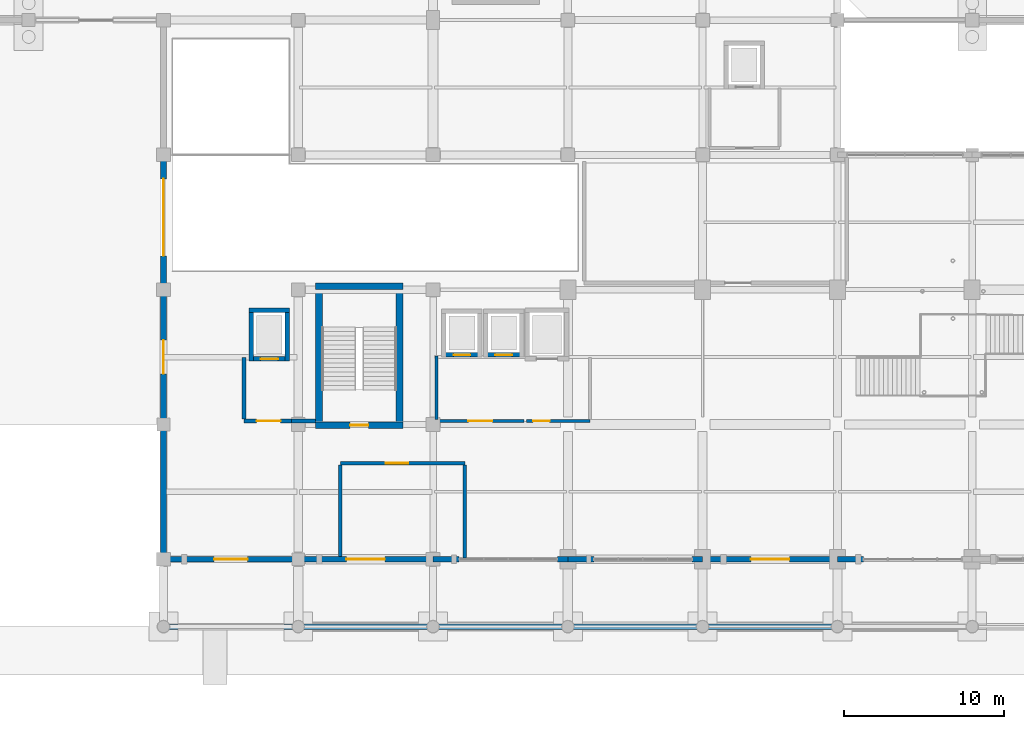
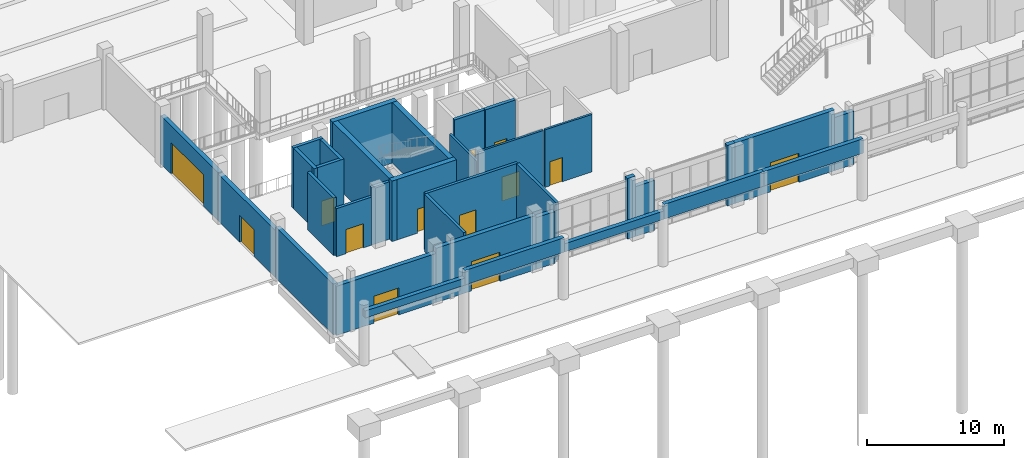
# One storey, part 64 of 82: 35 walls, 13 doors, 13 openings.
"""IFC4 building model written with IfcOpenShell, lengths in metres."""

from ifc_helpers import new_model, si_unit, derived_unit, direction, frame, frame_2d, origin, place, context, subcontext, project, spatial, rectangle, extrude, material, layer, layer_set, type_object, element, fill, save


model = new_model("IFC4")

# Units and contexts
model_context = context("Model", 3, precision=1e-05, world=origin(), true_north=direction((0.0, 1.0)))
body_context = subcontext(model_context, "Body", "Model", "MODEL_VIEW")
ifc_project = project(units=[si_unit("LENGTHUNIT", "METRE"), si_unit("AREAUNIT", "SQUARE_METRE"), si_unit("VOLUMEUNIT", "CUBIC_METRE"), si_unit("PLANEANGLEUNIT", "RADIAN"), si_unit("MASSUNIT", "GRAM", prefix="KILO"), derived_unit("THERMALTRANSMITTANCEUNIT", [(si_unit("POWERUNIT", "WATT"), 1), (si_unit("LENGTHUNIT", "METRE"), -2), (si_unit("THERMODYNAMICTEMPERATUREUNIT", "KELVIN"), -1)])], contexts=[model_context])

# Site, building, storey
site_placement = place(None, origin())
site = spatial("IfcSite", under=ifc_project, at=site_placement, CompositionType="ELEMENT")
building_placement = place(site_placement, origin())
building = spatial("IfcBuilding", under=site, at=building_placement, Name="Barrovel Congress Hotel", CompositionType="ELEMENT")
storey_placement = place(building_placement, origin())
storey = spatial("IfcBuildingStorey", under=building, at=storey_placement, Name="L00", CompositionType="ELEMENT", Elevation=0.0)

# Walls
ifc_material_1 = material(Name="Fired Clay Brick Masonry", Category="masonry")
ifc_layer_1 = layer(ifc_material_1, 0.35009765625)
ifc_layer_set_1 = layer_set([ifc_layer_1], Name="Fired Clay Brick Masonry")
wall_type_1 = type_object("IfcWallType", Name="EW-ARC350", PredefinedType="STANDARD", material=ifc_layer_set_1)
wall_1_placement = place(storey_placement, frame((16.800048828125, 0.0, 4.10009765625), z_axis=(0.0, 0.0, 1.0), x_axis=(1.0, 0.0, 0.0)))
element("IfcWall", 1, at=wall_1_placement, inside=storey, type_object=wall_type_1, Name="EW:L00:ARC:02", PredefinedType="STANDARD", context=body_context, shape_type="SweptSolid", body=[
    extrude(rectangle(XDim=8.39990234375, YDim=0.35009765625, at=frame_2d((4.199951171875, 0.0))), origin(), (0.0, 0.0, 1.0), 0.6298828125),
])
wall_2_placement = place(storey_placement, frame((25.199951171875, 0.0, 4.10009765625), z_axis=(0.0, 0.0, 1.0), x_axis=(1.0, 0.0, 0.0)))
element("IfcWall", 2, at=wall_2_placement, inside=storey, type_object=wall_type_1, Name="EW:L00:ARC:03", PredefinedType="STANDARD", context=body_context, shape_type="SweptSolid", body=[
    extrude(rectangle(XDim=8.400146484375, YDim=0.35009765625, at=frame_2d((4.2001953125, 0.0))), origin(), (0.0, 0.0, 1.0), 1.2998046875),
])
wall_3_placement = place(storey_placement, frame((33.60009765625, 0.0, 4.10009765625), z_axis=(0.0, 0.0, 1.0), x_axis=(1.0, 0.0, 0.0)))
element("IfcWall", 3, at=wall_3_placement, inside=storey, type_object=wall_type_1, Name="EW:L00:ARC:04", PredefinedType="STANDARD", context=body_context, shape_type="SweptSolid", body=[
    extrude(rectangle(XDim=8.39990234375, YDim=0.35009765625, at=frame_2d((4.199951171875, 0.0))), origin(), (0.0, 0.0, 1.0), 0.735107421875),
])
wall_4_placement = place(storey_placement, frame((42.0, 0.0, 4.10009765625), z_axis=(0.0, 0.0, 1.0), x_axis=(1.0, 0.0, 0.0)))
element("IfcWall", 4, at=wall_4_placement, inside=storey, type_object=wall_type_1, Name="EW:L00:ARC:05", PredefinedType="STANDARD", context=body_context, shape_type="SweptSolid", body=[
    extrude(rectangle(XDim=8.39990234375, YDim=0.35009765625, at=frame_2d((4.199951171875, 0.0))), origin(), (0.0, 0.0, 1.0), 1.2998046875),
])
wall_5_placement = place(storey_placement, frame((50.39990234375, 0.0, 4.10009765625), z_axis=(0.0, 0.0, 1.0), x_axis=(1.0, 0.0, 0.0)))
element("IfcWall", 5, at=wall_5_placement, inside=storey, type_object=wall_type_1, Name="EW:L00:ARC:06", PredefinedType="STANDARD", context=body_context, shape_type="SweptSolid", body=[
    extrude(rectangle(XDim=8.400146484375, YDim=0.35009765625, at=frame_2d((4.2001953125, 0.0))), origin(), (0.0, 0.0, 1.0), 1.2998046875),
])

# Wall, opening, door
ifc_layer_2 = layer(ifc_material_1, 0.360107421875)
ifc_layer_set_2 = layer_set([ifc_layer_2], Name="Fired Clay Brick Masonry")
wall_type_2 = type_object("IfcWallType", Name="EW-BRK360", PredefinedType="STANDARD", material=ifc_layer_set_2)
wall_6_placement = place(storey_placement, frame((16.800048828125, 4.199951171875, 0.0), z_axis=(0.0, 0.0, 1.0), x_axis=(1.0, 0.0, 0.0)))
wall_6 = element("IfcWall", 6, at=wall_6_placement, inside=storey, type_object=wall_type_2, Name="EW:L00:S:02", PredefinedType="STANDARD", context=body_context, shape_type="SweptSolid", body=[
    extrude(rectangle(XDim=8.39990234375, YDim=0.360107421875, at=frame_2d((4.199951171875, 0.0))), origin(), (0.0, 0.0, 1.0), 4.389892578125),
])
opening_1_placement = place(wall_6_placement, frame((5.25, 0.0, 0.0), z_axis=(0.0, 0.0, 1.0), x_axis=(-1.0, 0.0, 0.0)))
opening_1 = element("IfcOpeningElement", 7, at=opening_1_placement, cuts=wall_6, Name="Opening ED-01", PredefinedType="OPENING", context=body_context, shape_type="SweptSolid", body=[
    extrude(rectangle(XDim=2.10009765625, YDim=2.39990234375, at=frame_2d((1.050048828125, 1.199951171875))), frame((0.0, 0.18994140625, 0.0), z_axis=(0.0, -1.0, 0.0), x_axis=(1.0, 0.0, 0.0)), (0.0, 0.0, 1.0), 0.380126953125),
])
ifc_material_2 = material(Name="Anodised Aluminium Glazed Door", Category="aluminium")
door_type_1 = type_object("IfcDoorType", Name="EDR-ED-01", OperationType="NOTDEFINED", PredefinedType="DOOR", material=ifc_material_2)
door_1_placement = place(opening_1_placement, origin())
door_1 = element("IfcDoor", 8, at=door_1_placement, inside=storey, type_object=door_type_1, Name="Grade Exit Door E-01", OperationType="DOUBLE_DOOR_SINGLE_SWING", OverallHeight=2.39990234375, OverallWidth=2.10009765625, PredefinedType="DOOR", context=body_context, shape_type="SweptSolid", body=[
    extrude(rectangle(XDim=2.10009765625, YDim=2.39990234375, at=frame_2d((1.050048828125, 1.199951171875))), frame((0.0, 0.02490234375, 0.0), z_axis=(0.0, -1.0, 0.0), x_axis=(1.0, 0.0, 0.0)), (0.0, 0.0, 1.0), 0.050048828125),
])
fill(opening_1, door_1)

wall_7_placement = place(storey_placement, frame((25.199951171875, 4.199951171875, 0.0), z_axis=(0.0, 0.0, 1.0), x_axis=(1.0, 0.0, 0.0)))
wall_7 = element("IfcWall", 9, at=wall_7_placement, inside=storey, type_object=wall_type_2, Name="EW:L00:S:03", PredefinedType="STANDARD", context=body_context, shape_type="SweptSolid", body=[
    extrude(rectangle(XDim=8.400146484375, YDim=0.360107421875, at=frame_2d((4.2001953125, 0.0))), origin(), (0.0, 0.0, 1.0), 4.830078125),
])
opening_2_placement = place(wall_7_placement, frame((5.39990234375, 0.0, 0.0), z_axis=(0.0, 0.0, 1.0), x_axis=(-1.0, 0.0, 0.0)))
opening_2 = element("IfcOpeningElement", 10, at=opening_2_placement, cuts=wall_7, Name="Opening ED-02", PredefinedType="OPENING", context=body_context, shape_type="SweptSolid", body=[
    extrude(rectangle(XDim=2.39990234375, YDim=2.60009765625, at=frame_2d((1.199951171875, 1.300048828125))), frame((0.0, 0.18994140625, 0.0), z_axis=(0.0, -1.0, 0.0), x_axis=(1.0, 0.0, 0.0)), (0.0, 0.0, 1.0), 0.380126953125),
])
door_type_2 = type_object("IfcDoorType", Name="EDR-ED-02", OperationType="NOTDEFINED", PredefinedType="DOOR", material=ifc_material_2)
door_2_placement = place(opening_2_placement, origin())
door_2 = element("IfcDoor", 11, at=door_2_placement, inside=storey, type_object=door_type_2, Name="Grade Exit Door E-02", OperationType="DOUBLE_DOOR_SINGLE_SWING", OverallHeight=2.60009765625, OverallWidth=2.39990234375, PredefinedType="DOOR", context=body_context, shape_type="SweptSolid", body=[
    extrude(rectangle(XDim=2.39990234375, YDim=2.60009765625, at=frame_2d((1.199951171875, 1.300048828125))), frame((0.0, 0.02490234375, 0.0), z_axis=(0.0, -1.0, 0.0), x_axis=(1.0, 0.0, 0.0)), (0.0, 0.0, 1.0), 0.050048828125),
])
fill(opening_2, door_2)

# Walls
wall_8_placement = place(storey_placement, frame((33.60009765625, 4.199951171875, 0.0), z_axis=(0.0, 0.0, 1.0), x_axis=(1.0, 0.0, 0.0)))
element("IfcWall", 12, at=wall_8_placement, inside=storey, type_object=wall_type_2, Name="EW:L00:SJ-L:4", PredefinedType="STANDARD", context=body_context, shape_type="SweptSolid", body=[
    extrude(rectangle(XDim=1.619873046875, YDim=0.360107421875, at=frame_2d((0.81005859375, 0.0))), origin(), (0.0, 0.0, 1.0), 4.611083984375),
])
wall_9_placement = place(storey_placement, frame((41.340087890625, 4.199951171875, 0.0), z_axis=(0.0, 0.0, 1.0), x_axis=(1.0, 0.0, 0.0)))
element("IfcWall", 13, at=wall_9_placement, inside=storey, type_object=wall_type_2, Name="EW:L00:SJ-R:4", PredefinedType="STANDARD", context=body_context, shape_type="SweptSolid", body=[
    extrude(rectangle(XDim=0.659912109375, YDim=0.360107421875, at=frame_2d((0.330078125, 0.0))), origin(), (0.0, 0.0, 1.0), 5.39990234375),
])
wall_10_placement = place(storey_placement, frame((42.0, 4.199951171875, 0.0), z_axis=(0.0, 0.0, 1.0), x_axis=(1.0, 0.0, 0.0)))
element("IfcWall", 14, at=wall_10_placement, inside=storey, type_object=wall_type_2, Name="EW:L00:SJ-L:5", PredefinedType="STANDARD", context=body_context, shape_type="SweptSolid", body=[
    extrude(rectangle(XDim=1.6201171875, YDim=0.360107421875, at=frame_2d((0.81005859375, 0.0))), origin(), (0.0, 0.0, 1.0), 4.43994140625),
])
wall_11_placement = place(storey_placement, frame((49.739990234375, 4.199951171875, 0.0), z_axis=(0.0, 0.0, 1.0), x_axis=(1.0, 0.0, 0.0)))
element("IfcWall", 15, at=wall_11_placement, inside=storey, type_object=wall_type_2, Name="EW:L00:SJ-R:5", PredefinedType="STANDARD", context=body_context, shape_type="SweptSolid", body=[
    extrude(rectangle(XDim=0.659912109375, YDim=0.360107421875, at=frame_2d((0.330078125, 0.0))), origin(), (0.0, 0.0, 1.0), 5.39990234375),
])

# Wall, opening, door
wall_12_placement = place(storey_placement, frame((50.39990234375, 4.199951171875, 0.0), z_axis=(0.0, 0.0, 1.0), x_axis=(1.0, 0.0, 0.0)))
wall_12 = element("IfcWall", 16, at=wall_12_placement, inside=storey, type_object=wall_type_2, Name="EW:L00:S:06", PredefinedType="STANDARD", context=body_context, shape_type="SweptSolid", body=[
    extrude(rectangle(XDim=8.400146484375, YDim=0.360107421875, at=frame_2d((4.2001953125, 0.0))), origin(), (0.0, 0.0, 1.0), 5.39990234375),
])
opening_3_placement = place(wall_12_placement, frame((5.39990234375, 0.0, 0.0), z_axis=(0.0, 0.0, 1.0), x_axis=(-1.0, 0.0, 0.0)))
opening_3 = element("IfcOpeningElement", 17, at=opening_3_placement, cuts=wall_12, Name="Opening ED-02", PredefinedType="OPENING", context=body_context, shape_type="SweptSolid", body=[
    extrude(rectangle(XDim=2.39990234375, YDim=2.60009765625, at=frame_2d((1.199951171875, 1.300048828125))), frame((0.0, 0.18994140625, 0.0), z_axis=(0.0, -1.0, 0.0), x_axis=(1.0, 0.0, 0.0)), (0.0, 0.0, 1.0), 0.380126953125),
])
door_3_placement = place(opening_3_placement, origin())
door_3 = element("IfcDoor", 18, at=door_3_placement, inside=storey, type_object=door_type_2, Name="Grade Exit Door E-03", OperationType="DOUBLE_DOOR_SINGLE_SWING", OverallHeight=2.60009765625, OverallWidth=2.39990234375, PredefinedType="DOOR", context=body_context, shape_type="SweptSolid", body=[
    extrude(rectangle(XDim=2.39990234375, YDim=2.60009765625, at=frame_2d((1.199951171875, 1.300048828125))), frame((0.0, 0.02490234375, 0.0), z_axis=(0.0, -1.0, 0.0), x_axis=(1.0, 0.0, 0.0)), (0.0, 0.0, 1.0), 0.050048828125),
])
fill(opening_3, door_3)

# Wall
wall_13_placement = place(storey_placement, frame((58.800048828125, 4.199951171875, 0.0), z_axis=(0.0, 0.0, 1.0), x_axis=(1.0, 0.0, 0.0)))
element("IfcWall", 19, at=wall_13_placement, inside=storey, type_object=wall_type_2, Name="EW:L00:SJ-L:7", PredefinedType="STANDARD", context=body_context, shape_type="SweptSolid", body=[
    extrude(rectangle(XDim=1.619873046875, YDim=0.360107421875, at=frame_2d((0.81005859375, 0.0))), origin(), (0.0, 0.0, 1.0), 4.72998046875),
])

# Wall, opening, door
wall_14_placement = place(storey_placement, frame((16.800048828125, 29.39990234375, 0.0), z_axis=(0.0, 0.0, 1.0), x_axis=(0.0, -1.0, 0.0)))
wall_14 = element("IfcWall", 20, at=wall_14_placement, inside=storey, type_object=wall_type_2, Name="EW:L00:V4W:21.0", PredefinedType="STANDARD", context=body_context, shape_type="SweptSolid", body=[
    extrude(rectangle(XDim=8.39990234375, YDim=0.360107421875, at=frame_2d((4.199951171875, 0.0))), origin(), (0.0, 0.0, 1.0), 4.2900390625),
])
opening_4_placement = place(wall_14_placement, frame((6.300048828125, 0.0, 0.0), z_axis=(0.0, 0.0, 1.0), x_axis=(-1.0, 0.0, 0.0)))
opening_4 = element("IfcOpeningElement", 21, at=opening_4_placement, cuts=wall_14, Name="Opening VG-T1", PredefinedType="OPENING", context=body_context, shape_type="SweptSolid", body=[
    extrude(rectangle(XDim=4.800048828125, YDim=2.800048828125, at=frame_2d((2.39990234375, 1.39990234375))), frame((0.0, 0.18994140625, 0.0), z_axis=(0.0, -1.0, 0.0), x_axis=(1.0, 0.0, 0.0)), (0.0, 0.0, 1.0), 0.380126953125),
])
ifc_material_3 = material(Name="Galvanised Steel Roller Shutter", Category="steel")
door_type_3 = type_object("IfcDoorType", Name="EDR-VG-T1", OperationType="NOTDEFINED", PredefinedType="GATE", material=ifc_material_3)
door_4_placement = place(opening_4_placement, origin())
door_4 = element("IfcDoor", 22, at=door_4_placement, inside=storey, type_object=door_type_3, Name="Basement Vehicle Ramp Gate VG-01", OperationType="ROLLINGUP", OverallHeight=2.800048828125, OverallWidth=4.800048828125, PredefinedType="GATE", context=body_context, shape_type="SweptSolid", body=[
    extrude(rectangle(XDim=4.800048828125, YDim=2.800048828125, at=frame_2d((2.39990234375, 1.39990234375))), frame((0.0, 0.02490234375, 0.0), z_axis=(0.0, -1.0, 0.0), x_axis=(1.0, 0.0, 0.0)), (0.0, 0.0, 1.0), 0.050048828125),
])
fill(opening_4, door_4)

wall_15_placement = place(storey_placement, frame((16.800048828125, 21.0, 0.0), z_axis=(0.0, 0.0, 1.0), x_axis=(0.0, -1.0, 0.0)))
wall_15 = element("IfcWall", 23, at=wall_15_placement, inside=storey, type_object=wall_type_2, Name="EW:L00:V4W:12.6", PredefinedType="STANDARD", context=body_context, shape_type="SweptSolid", body=[
    extrude(rectangle(XDim=8.39990234375, YDim=0.360107421875, at=frame_2d((4.199951171875, 0.0))), origin(), (0.0, 0.0, 1.0), 4.18994140625),
])
opening_5_placement = place(wall_15_placement, frame((5.25, 0.0, 0.0), z_axis=(0.0, 0.0, 1.0), x_axis=(-1.0, 0.0, 0.0)))
opening_5 = element("IfcOpeningElement", 24, at=opening_5_placement, cuts=wall_15, Name="Opening ED-01", PredefinedType="OPENING", context=body_context, shape_type="SweptSolid", body=[
    extrude(rectangle(XDim=2.10009765625, YDim=2.39990234375, at=frame_2d((1.050048828125, 1.199951171875))), frame((0.0, 0.18994140625, 0.0), z_axis=(0.0, -1.0, 0.0), x_axis=(1.0, 0.0, 0.0)), (0.0, 0.0, 1.0), 0.380126953125),
])
door_5_placement = place(opening_5_placement, origin())
door_5 = element("IfcDoor", 25, at=door_5_placement, inside=storey, type_object=door_type_1, Name="Grade Exit Door E-12", OperationType="DOUBLE_DOOR_SINGLE_SWING", OverallHeight=2.39990234375, OverallWidth=2.10009765625, PredefinedType="DOOR", context=body_context, shape_type="SweptSolid", body=[
    extrude(rectangle(XDim=2.10009765625, YDim=2.39990234375, at=frame_2d((1.050048828125, 1.199951171875))), frame((0.0, 0.02490234375, 0.0), z_axis=(0.0, -1.0, 0.0), x_axis=(1.0, 0.0, 0.0)), (0.0, 0.0, 1.0), 0.050048828125),
])
fill(opening_5, door_5)

# Wall
wall_16_placement = place(storey_placement, frame((16.800048828125, 12.60009765625, 0.0), z_axis=(0.0, 0.0, 1.0), x_axis=(0.0, -1.0, 0.0)))
element("IfcWall", 26, at=wall_16_placement, inside=storey, type_object=wall_type_2, Name="EW:L00:V4W:4.2", PredefinedType="STANDARD", context=body_context, shape_type="SweptSolid", body=[
    extrude(rectangle(XDim=8.400146484375, YDim=0.360107421875, at=frame_2d((4.2001953125, 0.0))), origin(), (0.0, 0.0, 1.0), 4.5400390625),
])

# Wall, opening, door
ifc_material_4 = material(Name="Gypsum Acoustic Stud", Category="gypsum")
ifc_layer_3 = layer(ifc_material_4, 0.179931640625)
ifc_layer_set_3 = layer_set([ifc_layer_3], Name="Gypsum Acoustic Stud")
wall_type_3 = type_object("IfcWallType", Name="PW-ACU-180", PredefinedType="PARTITIONING", material=ifc_layer_set_3)
wall_17_placement = place(storey_placement, frame((33.820068359375, 12.820068359375, 0.0), z_axis=(0.0, 0.0, 1.0), x_axis=(1.0, 0.0, 0.0)))
wall_17 = element("IfcWall", 27, at=wall_17_placement, inside=storey, type_object=wall_type_3, Name="RW:SP:L00:LL-C1:S", PredefinedType="PARTITIONING", context=body_context, shape_type="SweptSolid", body=[
    extrude(rectangle(XDim=5.4599609375, YDim=0.179931640625, at=frame_2d((2.72998046875, 0.0))), origin(), (0.0, 0.0, 1.0), 5.135009765625),
])
opening_6_placement = place(wall_17_placement, frame((1.97998046875, 0.0, 0.0)))
opening_6 = element("IfcOpeningElement", 28, at=opening_6_placement, cuts=wall_17, Name="Opening ID-FFL", PredefinedType="OPENING", context=body_context, shape_type="SweptSolid", body=[
    extrude(rectangle(XDim=1.5, YDim=2.14990234375, at=frame_2d((0.75, 1.074951171875))), frame((0.0, 0.10009765625, 0.0), z_axis=(0.0, -1.0, 0.0), x_axis=(1.0, 0.0, 0.0)), (0.0, 0.0, 1.0), 0.199951171875),
])
ifc_material_5 = material(Name="Painted Hollow-Metal Steel Door", Category="steel")
door_type_4 = type_object("IfcDoorType", Name="IDR-ID-FFL", OperationType="NOTDEFINED", PredefinedType="DOOR", material=ifc_material_5)
door_6_placement = place(opening_6_placement, origin())
door_6 = element("IfcDoor", 29, at=door_6_placement, inside=storey, type_object=door_type_4, Name="RD:SP:L00:LL-C1", OperationType="DOUBLE_DOOR_SINGLE_SWING", OverallHeight=2.14990234375, OverallWidth=1.5, PredefinedType="DOOR", context=body_context, shape_type="SweptSolid", body=[
    extrude(rectangle(XDim=1.5, YDim=2.14990234375, at=frame_2d((0.75, 1.074951171875))), frame((0.0, 0.02490234375, 0.0), z_axis=(0.0, -1.0, 0.0), x_axis=(1.0, 0.0, 0.0)), (0.0, 0.0, 1.0), 0.050048828125),
])
fill(opening_6, door_6)

# Wall
wall_18_placement = place(storey_placement, frame((33.820068359375, 12.909912109375, 0.0), z_axis=(0.0, 0.0, 1.0), x_axis=(0.0, 1.0, 0.0)))
element("IfcWall", 30, at=wall_18_placement, inside=storey, type_object=wall_type_3, Name="RW:SP:L00:LL-C1:W", PredefinedType="PARTITIONING", context=body_context, shape_type="SweptSolid", body=[
    extrude(rectangle(XDim=3.969970703125, YDim=0.179931640625, at=frame_2d((1.98486328125, 0.0))), origin(), (0.0, 0.0, 1.0), 4.239990234375),
])

# Wall, opening, door
wall_19_placement = place(storey_placement, frame((39.419921875, 12.820068359375, 0.0), z_axis=(0.0, 0.0, 1.0), x_axis=(1.0, 0.0, 0.0)))
wall_19 = element("IfcWall", 31, at=wall_19_placement, inside=storey, type_object=wall_type_3, Name="RW:SP:L00:LL-SL1:S", PredefinedType="PARTITIONING", context=body_context, shape_type="SweptSolid", body=[
    extrude(rectangle(XDim=3.9599609375, YDim=0.179931640625, at=frame_2d((1.97998046875, 0.0))), origin(), (0.0, 0.0, 1.0), 5.135009765625),
])
opening_7_placement = place(wall_19_placement, frame((0.419921875, 0.0, 0.0)))
opening_7 = element("IfcOpeningElement", 32, at=opening_7_placement, cuts=wall_19, Name="Opening ID-ACC", PredefinedType="OPENING", context=body_context, shape_type="SweptSolid", body=[
    extrude(rectangle(XDim=1.02001953125, YDim=2.14990234375, at=frame_2d((0.510009765625, 1.074951171875))), frame((0.0, 0.10009765625, 0.0), z_axis=(0.0, -1.0, 0.0), x_axis=(1.0, 0.0, 0.0)), (0.0, 0.0, 1.0), 0.199951171875),
])
ifc_material_6 = material(Name="Solid Oak Acoustic Timber Door", Category="wood")
door_type_5 = type_object("IfcDoorType", Name="IDR-ID-ACC", OperationType="NOTDEFINED", PredefinedType="DOOR", material=ifc_material_6)
door_7_placement = place(opening_7_placement, origin())
door_7 = element("IfcDoor", 33, at=door_7_placement, inside=storey, type_object=door_type_5, Name="RD:SP:L00:LL-SL1", OperationType="SINGLE_SWING_RIGHT", OverallHeight=2.14990234375, OverallWidth=1.02001953125, PredefinedType="DOOR", context=body_context, shape_type="SweptSolid", body=[
    extrude(rectangle(XDim=1.02001953125, YDim=2.14990234375, at=frame_2d((0.510009765625, 1.074951171875))), frame((0.0, 0.02490234375, 0.0), z_axis=(0.0, -1.0, 0.0), x_axis=(1.0, 0.0, 0.0)), (0.0, 0.0, 1.0), 0.050048828125),
])
fill(opening_7, door_7)

ifc_layer_4 = layer(ifc_material_1, 0.239990234375)
ifc_layer_set_4 = layer_set([ifc_layer_4], Name="Fired Clay Brick Masonry")
wall_type_4 = type_object("IfcWallType", Name="PW-MAS-240", PredefinedType="PARTITIONING", material=ifc_layer_set_4)
wall_20_placement = place(storey_placement, frame((21.820068359375, 12.820068359375, 0.0), z_axis=(0.0, 0.0, 1.0), x_axis=(1.0, 0.0, 0.0)))
wall_20 = element("IfcWall", 34, at=wall_20_placement, inside=storey, type_object=wall_type_4, Name="RW:SP:L00:FFL-1:S", PredefinedType="PARTITIONING", context=body_context, shape_type="SweptSolid", body=[
    extrude(rectangle(XDim=2.954833984375, YDim=0.239990234375, at=frame_2d((1.4775390625, 0.0))), origin(), (0.0, 0.0, 1.0), 4.2900390625),
])
opening_8_placement = place(wall_20_placement, frame((0.780029296875, 0.0, 0.0)))
opening_8 = element("IfcOpeningElement", 35, at=opening_8_placement, cuts=wall_20, Name="Opening ID-FFL", PredefinedType="OPENING", context=body_context, shape_type="SweptSolid", body=[
    extrude(rectangle(XDim=1.5, YDim=2.14990234375, at=frame_2d((0.75, 1.074951171875))), frame((0.0, 0.1298828125, 0.0), z_axis=(0.0, -1.0, 0.0), x_axis=(1.0, 0.0, 0.0)), (0.0, 0.0, 1.0), 0.260009765625),
])
door_8_placement = place(opening_8_placement, origin())
door_8 = element("IfcDoor", 36, at=door_8_placement, inside=storey, type_object=door_type_4, Name="RD:SP:L00:FFL-1", OperationType="DOUBLE_DOOR_SINGLE_SWING", OverallHeight=2.14990234375, OverallWidth=1.5, PredefinedType="DOOR", context=body_context, shape_type="SweptSolid", body=[
    extrude(rectangle(XDim=1.5, YDim=2.14990234375, at=frame_2d((0.75, 1.074951171875))), frame((0.0, 0.02490234375, 0.0), z_axis=(0.0, -1.0, 0.0), x_axis=(1.0, 0.0, 0.0)), (0.0, 0.0, 1.0), 0.050048828125),
])
fill(opening_8, door_8)

# Wall
wall_21_placement = place(storey_placement, frame((21.820068359375, 12.93994140625, 0.0), z_axis=(0.0, 0.0, 1.0), x_axis=(0.0, 1.0, 0.0)))
element("IfcWall", 37, at=wall_21_placement, inside=storey, type_object=wall_type_4, Name="RW:SP:L00:FFL-1:W", PredefinedType="PARTITIONING", context=body_context, shape_type="SweptSolid", body=[
    extrude(rectangle(XDim=3.840087890625, YDim=0.239990234375, at=frame_2d((1.919921875, 0.0))), origin(), (0.0, 0.0, 1.0), 5.135009765625),
])

# Wall, opening, door
wall_22_placement = place(storey_placement, frame((27.820068359375, 10.179931640625, 0.0), z_axis=(0.0, 0.0, 1.0), x_axis=(1.0, 0.0, 0.0)))
wall_22 = element("IfcWall", 38, at=wall_22_placement, inside=storey, type_object=wall_type_4, Name="RW:SP:L00:FCC:N", PredefinedType="PARTITIONING", context=body_context, shape_type="SweptSolid", body=[
    extrude(rectangle(XDim=7.760009765625, YDim=0.239990234375, at=frame_2d((3.8798828125, 0.0))), origin(), (0.0, 0.0, 1.0), 5.135009765625),
])
opening_9_placement = place(wall_22_placement, frame((2.830078125, 0.0, 0.0)))
opening_9 = element("IfcOpeningElement", 39, at=opening_9_placement, cuts=wall_22, Name="Opening ID-PLT", PredefinedType="OPENING", context=body_context, shape_type="SweptSolid", body=[
    extrude(rectangle(XDim=1.39990234375, YDim=2.199951171875, at=frame_2d((0.699951171875, 1.10009765625))), frame((0.0, 0.1298828125, 0.0), z_axis=(0.0, -1.0, 0.0), x_axis=(1.0, 0.0, 0.0)), (0.0, 0.0, 1.0), 0.260009765625),
])
door_type_6 = type_object("IfcDoorType", Name="IDR-ID-PLT", OperationType="NOTDEFINED", PredefinedType="DOOR", material=ifc_material_5)
door_9_placement = place(opening_9_placement, origin())
door_9 = element("IfcDoor", 40, at=door_9_placement, inside=storey, type_object=door_type_6, Name="RD:SP:L00:FCC", OperationType="DOUBLE_DOOR_SINGLE_SWING", OverallHeight=2.199951171875, OverallWidth=1.39990234375, PredefinedType="DOOR", context=body_context, shape_type="SweptSolid", body=[
    extrude(rectangle(XDim=1.39990234375, YDim=2.199951171875, at=frame_2d((0.699951171875, 1.10009765625))), frame((0.0, 0.02490234375, 0.0), z_axis=(0.0, -1.0, 0.0), x_axis=(1.0, 0.0, 0.0)), (0.0, 0.0, 1.0), 0.050048828125),
])
fill(opening_9, door_9)

# Walls
wall_23_placement = place(storey_placement, frame((27.820068359375, 4.3798828125, 0.0), z_axis=(0.0, 0.0, 1.0), x_axis=(0.0, 1.0, 0.0)))
element("IfcWall", 41, at=wall_23_placement, inside=storey, type_object=wall_type_4, Name="RW:SP:L00:FCC:W", PredefinedType="PARTITIONING", context=body_context, shape_type="SweptSolid", body=[
    extrude(rectangle(XDim=5.68017578125, YDim=0.239990234375, at=frame_2d((2.840087890625, 0.0))), origin(), (0.0, 0.0, 1.0), 5.135009765625),
])
wall_24_placement = place(storey_placement, frame((35.580078125, 4.280029296875, 0.0), z_axis=(0.0, 0.0, 1.0), x_axis=(0.0, 1.0, 0.0)))
element("IfcWall", 42, at=wall_24_placement, inside=storey, type_object=wall_type_4, Name="RW:SP:L00:FCC:E", PredefinedType="PARTITIONING", context=body_context, shape_type="SweptSolid", body=[
    extrude(rectangle(XDim=5.780029296875, YDim=0.239990234375, at=frame_2d((2.89013671875, 0.0))), origin(), (0.0, 0.0, 1.0), 5.135009765625),
])
wall_25_placement = place(storey_placement, frame((24.77490234375, 12.820068359375, 0.0), z_axis=(0.0, 0.0, 1.0), x_axis=(1.0, 0.0, 0.0)))
element("IfcWall", 43, at=wall_25_placement, inside=storey, type_object=wall_type_4, Name="RW:SP:L00:FFL-1:S:P02", PredefinedType="PARTITIONING", context=body_context, shape_type="SweptSolid", body=[
    extrude(rectangle(XDim=1.505126953125, YDim=0.239990234375, at=frame_2d((0.75244140625, 0.0))), origin(), (0.0, 0.0, 1.0), 5.135009765625),
])

# Wall, opening, door
ifc_material_7 = material(Name="Concrete C40", Category="concrete")
ifc_layer_5 = layer(ifc_material_7, 0.280029296875)
ifc_layer_set_5 = layer_set([ifc_layer_5], Name="Concrete C40")
wall_type_5 = type_object("IfcWallType", Name="SW-C40-280", PredefinedType="SHEAR", material=ifc_layer_set_5)
wall_26_placement = place(storey_placement, frame((22.139892578125, 16.679931640625, 0.0), z_axis=(0.0, 0.0, 1.0), x_axis=(1.0, 0.0, 0.0)))
wall_26 = element("IfcWall", 44, at=wall_26_placement, inside=storey, type_object=wall_type_5, Name="LSH:FL-1:L00:S", PredefinedType="SHEAR", context=body_context, shape_type="SweptSolid", body=[
    extrude(rectangle(XDim=2.52001953125, YDim=0.280029296875, at=frame_2d((1.260009765625, 0.0))), origin(), (0.0, 0.0, 1.0), 5.39990234375),
])
opening_10_placement = place(wall_26_placement, frame((0.7099609375, 0.0, 0.0)))
opening_10 = element("IfcOpeningElement", 45, at=opening_10_placement, cuts=wall_26, Name="Opening LD-FF", PredefinedType="OPENING", context=body_context, shape_type="SweptSolid", body=[
    extrude(rectangle(XDim=1.10009765625, YDim=2.199951171875, at=frame_2d((0.550048828125, 1.10009765625))), frame((0.0, 0.14990234375, 0.0), z_axis=(0.0, -1.0, 0.0), x_axis=(1.0, 0.0, 0.0)), (0.0, 0.0, 1.0), 0.300048828125),
])
ifc_material_8 = material(Name="Brushed Stainless Steel", Category="steel")
door_type_7 = type_object("IfcDoorType", Name="IDR-LD-FF", OperationType="NOTDEFINED", PredefinedType="DOOR", material=ifc_material_8)
door_10_placement = place(opening_10_placement, origin())
door_10 = element("IfcDoor", 46, at=door_10_placement, inside=storey, type_object=door_type_7, Name="Lift Landing Door LD-FL-1-L00", OperationType="SLIDING_TO_LEFT", OverallHeight=2.199951171875, OverallWidth=1.10009765625, PredefinedType="DOOR", context=body_context, shape_type="SweptSolid", body=[
    extrude(rectangle(XDim=1.10009765625, YDim=2.199951171875, at=frame_2d((0.550048828125, 1.10009765625))), frame((0.0, 0.02490234375, 0.0), z_axis=(0.0, -1.0, 0.0), x_axis=(1.0, 0.0, 0.0)), (0.0, 0.0, 1.0), 0.050048828125),
])
fill(opening_10, door_10)

# Walls
wall_27_placement = place(storey_placement, frame((24.52001953125, 16.5400390625, 0.0), z_axis=(0.0, 0.0, 1.0), x_axis=(0.0, 1.0, 0.0)))
element("IfcWall", 47, at=wall_27_placement, inside=storey, type_object=wall_type_5, Name="LSH:FL-1:L00:E", PredefinedType="SHEAR", context=body_context, shape_type="SweptSolid", body=[
    extrude(rectangle(XDim=3.320068359375, YDim=0.280029296875, at=frame_2d((1.66015625, 0.0))), origin(), (0.0, 0.0, 1.0), 5.39990234375),
])
wall_28_placement = place(storey_placement, frame((24.659912109375, 19.719970703125, 0.0), z_axis=(0.0, 0.0, 1.0), x_axis=(-1.0, 0.0, 0.0)))
element("IfcWall", 48, at=wall_28_placement, inside=storey, type_object=wall_type_5, Name="LSH:FL-1:L00:N", PredefinedType="SHEAR", context=body_context, shape_type="SweptSolid", body=[
    extrude(rectangle(XDim=2.52001953125, YDim=0.280029296875, at=frame_2d((1.260009765625, 0.0))), origin(), (0.0, 0.0, 1.0), 5.39990234375),
])
wall_29_placement = place(storey_placement, frame((22.280029296875, 19.860107421875, 0.0), z_axis=(0.0, 0.0, 1.0), x_axis=(0.0, -1.0, 0.0)))
element("IfcWall", 49, at=wall_29_placement, inside=storey, type_object=wall_type_5, Name="LSH:FL-1:L00:W", PredefinedType="SHEAR", context=body_context, shape_type="SweptSolid", body=[
    extrude(rectangle(XDim=3.320068359375, YDim=0.280029296875, at=frame_2d((1.66015625, 0.0))), origin(), (0.0, 0.0, 1.0), 5.39990234375),
])

# Wall, opening, door
wall_30_placement = place(storey_placement, frame((34.139892578125, 16.929931640625, 0.0), z_axis=(0.0, 0.0, 1.0), x_axis=(1.0, 0.0, 0.0)))
wall_30 = element("IfcWall", 50, at=wall_30_placement, inside=storey, type_object=wall_type_5, Name="LSH:PL-1:L00:S", PredefinedType="SHEAR", context=body_context, shape_type="SweptSolid", body=[
    extrude(rectangle(XDim=2.52001953125, YDim=0.280029296875, at=frame_2d((1.260009765625, 0.0))), origin(), (0.0, 0.0, 1.0), 5.39990234375),
])
opening_11_placement = place(wall_30_placement, frame((0.735107421875, 0.0, 0.0)))
opening_11 = element("IfcOpeningElement", 51, at=opening_11_placement, cuts=wall_30, Name="Opening LD-PAX", PredefinedType="OPENING", context=body_context, shape_type="SweptSolid", body=[
    extrude(rectangle(XDim=1.050048828125, YDim=2.199951171875, at=frame_2d((0.52490234375, 1.10009765625))), frame((0.0, 0.14990234375, 0.0), z_axis=(0.0, -1.0, 0.0), x_axis=(1.0, 0.0, 0.0)), (0.0, 0.0, 1.0), 0.300048828125),
])
door_type_8 = type_object("IfcDoorType", Name="IDR-LD-PAX", OperationType="NOTDEFINED", PredefinedType="DOOR", material=ifc_material_8)
door_11_placement = place(opening_11_placement, origin())
door_11 = element("IfcDoor", 52, at=door_11_placement, inside=storey, type_object=door_type_8, Name="Lift Landing Door LD-PL-1-L00", OperationType="SLIDING_TO_LEFT", OverallHeight=2.199951171875, OverallWidth=1.050048828125, PredefinedType="DOOR", context=body_context, shape_type="SweptSolid", body=[
    extrude(rectangle(XDim=1.050048828125, YDim=2.199951171875, at=frame_2d((0.52490234375, 1.10009765625))), frame((0.0, 0.02490234375, 0.0), z_axis=(0.0, -1.0, 0.0), x_axis=(1.0, 0.0, 0.0)), (0.0, 0.0, 1.0), 0.050048828125),
])
fill(opening_11, door_11)

wall_31_placement = place(storey_placement, frame((36.739990234375, 16.929931640625, 0.0), z_axis=(0.0, 0.0, 1.0), x_axis=(1.0, 0.0, 0.0)))
wall_31 = element("IfcWall", 53, at=wall_31_placement, inside=storey, type_object=wall_type_5, Name="LSH:PL-2:L00:S", PredefinedType="SHEAR", context=body_context, shape_type="SweptSolid", body=[
    extrude(rectangle(XDim=2.52001953125, YDim=0.280029296875, at=frame_2d((1.260009765625, 0.0))), origin(), (0.0, 0.0, 1.0), 5.39990234375),
])
opening_12_placement = place(wall_31_placement, frame((0.735107421875, 0.0, 0.0)))
opening_12 = element("IfcOpeningElement", 54, at=opening_12_placement, cuts=wall_31, Name="Opening LD-PAX", PredefinedType="OPENING", context=body_context, shape_type="SweptSolid", body=[
    extrude(rectangle(XDim=1.050048828125, YDim=2.199951171875, at=frame_2d((0.52490234375, 1.10009765625))), frame((0.0, 0.14990234375, 0.0), z_axis=(0.0, -1.0, 0.0), x_axis=(1.0, 0.0, 0.0)), (0.0, 0.0, 1.0), 0.300048828125),
])
door_12_placement = place(opening_12_placement, origin())
door_12 = element("IfcDoor", 55, at=door_12_placement, inside=storey, type_object=door_type_8, Name="Lift Landing Door LD-PL-2-L00", OperationType="SLIDING_TO_LEFT", OverallHeight=2.199951171875, OverallWidth=1.050048828125, PredefinedType="DOOR", context=body_context, shape_type="SweptSolid", body=[
    extrude(rectangle(XDim=1.050048828125, YDim=2.199951171875, at=frame_2d((0.52490234375, 1.10009765625))), frame((0.0, 0.02490234375, 0.0), z_axis=(0.0, -1.0, 0.0), x_axis=(1.0, 0.0, 0.0)), (0.0, 0.0, 1.0), 0.050048828125),
])
fill(opening_12, door_12)

ifc_material_9 = material(Name="Concrete C50", Category="concrete")
ifc_layer_6 = layer(ifc_material_9, 0.419921875)
ifc_layer_set_6 = layer_set([ifc_layer_6], Name="Concrete C50")
wall_type_6 = type_object("IfcWallType", Name="SW-C50-420", PredefinedType="SHEAR", material=ifc_layer_set_6)
wall_32_placement = place(storey_placement, frame((26.280029296875, 12.550048828125, 0.0), z_axis=(0.0, 0.0, 1.0), x_axis=(1.0, 0.0, 0.0)))
wall_32 = element("IfcWall", 56, at=wall_32_placement, inside=storey, type_object=wall_type_6, Name="SHW:XS-01:L00:S", PredefinedType="SHEAR", context=body_context, shape_type="SweptSolid", body=[
    extrude(rectangle(XDim=5.43994140625, YDim=0.419921875, at=frame_2d((2.719970703125, 0.0))), origin(), (0.0, 0.0, 1.0), 5.39990234375),
])
opening_13_placement = place(wall_32_placement, frame((3.294921875, 0.0, 0.0), z_axis=(0.0, 0.0, 1.0), x_axis=(-1.0, 0.0, 0.0)))
opening_13 = element("IfcOpeningElement", 57, at=opening_13_placement, cuts=wall_32, Name="Opening ID-ST1", PredefinedType="OPENING", context=body_context, shape_type="SweptSolid", body=[
    extrude(rectangle(XDim=1.14990234375, YDim=2.14990234375, at=frame_2d((0.574951171875, 1.074951171875))), frame((0.0, 0.219970703125, 0.0), z_axis=(0.0, -1.0, 0.0), x_axis=(1.0, 0.0, 0.0)), (0.0, 0.0, 1.0), 0.43994140625),
])
door_type_9 = type_object("IfcDoorType", Name="IDR-ID-ST1", OperationType="NOTDEFINED", PredefinedType="DOOR", material=ifc_material_5)
door_13_placement = place(opening_13_placement, origin())
door_13 = element("IfcDoor", 58, at=door_13_placement, inside=storey, type_object=door_type_9, Name="Stair Core Fire Door XS-01-L00", OperationType="SINGLE_SWING_RIGHT", OverallHeight=2.14990234375, OverallWidth=1.14990234375, PredefinedType="DOOR", context=body_context, shape_type="SweptSolid", body=[
    extrude(rectangle(XDim=1.14990234375, YDim=2.14990234375, at=frame_2d((0.574951171875, 1.074951171875))), frame((0.0, 0.02490234375, 0.0), z_axis=(0.0, -1.0, 0.0), x_axis=(1.0, 0.0, 0.0)), (0.0, 0.0, 1.0), 0.050048828125),
])
fill(opening_13, door_13)

# Walls
wall_33_placement = place(storey_placement, frame((31.510009765625, 12.340087890625, 0.0), z_axis=(0.0, 0.0, 1.0), x_axis=(0.0, 1.0, 0.0)))
element("IfcWall", 59, at=wall_33_placement, inside=storey, type_object=wall_type_6, Name="SHW:XS-01:L00:E", PredefinedType="SHEAR", context=body_context, shape_type="SweptSolid", body=[
    extrude(rectangle(XDim=9.079833984375, YDim=0.419921875, at=frame_2d((4.5400390625, 0.0))), origin(), (0.0, 0.0, 1.0), 5.39990234375),
])
wall_34_placement = place(storey_placement, frame((31.719970703125, 21.2099609375, 0.0), z_axis=(0.0, 0.0, 1.0), x_axis=(-1.0, 0.0, 0.0)))
element("IfcWall", 60, at=wall_34_placement, inside=storey, type_object=wall_type_6, Name="SHW:XS-01:L00:N", PredefinedType="SHEAR", context=body_context, shape_type="SweptSolid", body=[
    extrude(rectangle(XDim=5.43994140625, YDim=0.419921875, at=frame_2d((2.719970703125, 0.0))), origin(), (0.0, 0.0, 1.0), 5.39990234375),
])
wall_35_placement = place(storey_placement, frame((26.489990234375, 21.419921875, 0.0), z_axis=(0.0, 0.0, 1.0), x_axis=(0.0, -1.0, 0.0)))
element("IfcWall", 61, at=wall_35_placement, inside=storey, type_object=wall_type_6, Name="SHW:XS-01:L00:W", PredefinedType="SHEAR", context=body_context, shape_type="SweptSolid", body=[
    extrude(rectangle(XDim=9.079833984375, YDim=0.419921875, at=frame_2d((4.5400390625, 0.0))), origin(), (0.0, 0.0, 1.0), 5.39990234375),
])

save(model, "model.ifc")
